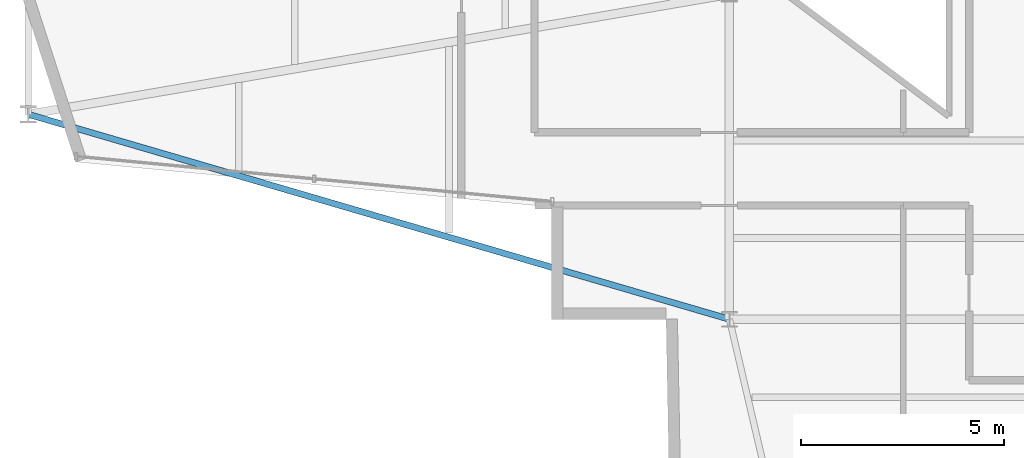
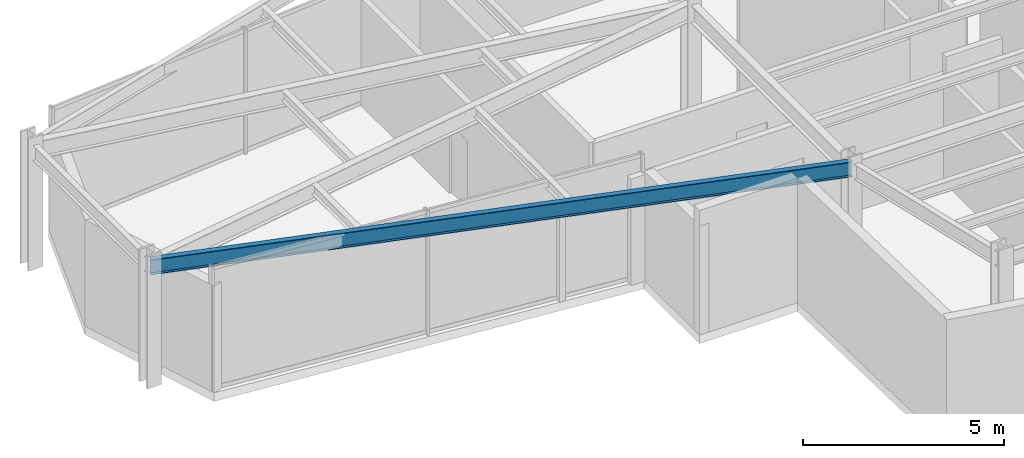
# One storey, part 3 of 21: 1 beam.
"""IFC4 building model written with IfcOpenShell, lengths in metres."""

from ifc_helpers import new_model, si_unit, direction, frame, origin, origin_2d, place, context, subcontext, project, spatial, i_section, extrude, material, material_profile, profile_set, type_object, element, save


model = new_model("IFC4")

# Units and contexts
model_context = context("Model", 3, precision=1e-05, world=origin(), true_north=direction((0.0, 1.0)))
body_context = subcontext(model_context, "Body", "Model", "MODEL_VIEW")
ifc_project = project(units=[si_unit("LENGTHUNIT", "METRE"), si_unit("AREAUNIT", "SQUARE_METRE"), si_unit("VOLUMEUNIT", "CUBIC_METRE"), si_unit("PLANEANGLEUNIT", "RADIAN"), si_unit("MASSUNIT", "GRAM", prefix="KILO")], contexts=[model_context])

# Site, building, storey
site_placement = place(None, origin())
site = spatial("IfcSite", under=ifc_project, at=site_placement, CompositionType="ELEMENT")
building_placement = place(site_placement, origin())
building = spatial("IfcBuilding", under=site, at=building_placement, Name="Veymaron Broadcast Tower", CompositionType="ELEMENT")
storey_placement = place(building_placement, frame((0.0, 0.0, 228.300048828125)))
storey = spatial("IfcBuildingStorey", under=building, at=storey_placement, Name="L53", CompositionType="ELEMENT", Elevation=228.300048828125)

# Beam
ifc_material = material(Name="Structural steel ASTM A992 Gr 50", Category="steel")
ifc_material_profile = material_profile(ifc_material, i_section(OverallWidth=0.154052734375, OverallDepth=0.458984375, WebThickness=0.009033203125, FlangeThickness=0.015380859375, at=origin_2d()), Name="W460X68")
ifc_profile_set = profile_set([ifc_material_profile], Name="Structural steel ASTM A992 Gr 50")
beam_type = type_object("IfcBeamType", Name="BM-SP2", PredefinedType="SPANDREL", material=ifc_profile_set)
beam_placement = place(storey_placement, frame((13.94091796875, 21.044921875, 3.560546875), z_axis=(0.95983483944, -0.28056564472, 0.0), x_axis=(0.28056564472, 0.95983483944, 0.0)))
element("IfcBeam", 1, at=beam_placement, inside=storey, type_object=beam_type, Name="L53 primary structural floor girder", PredefinedType="SPANDREL", context=body_context, shape_type="SweptSolid", body=[
    extrude(i_section(OverallWidth=0.154052734375, OverallDepth=0.458984375, WebThickness=0.009033203125, FlangeThickness=0.015380859375, at=origin_2d()), origin(), (0.0, 0.0, 1.0), 17.981201171875),
])

save(model, "model.ifc")
